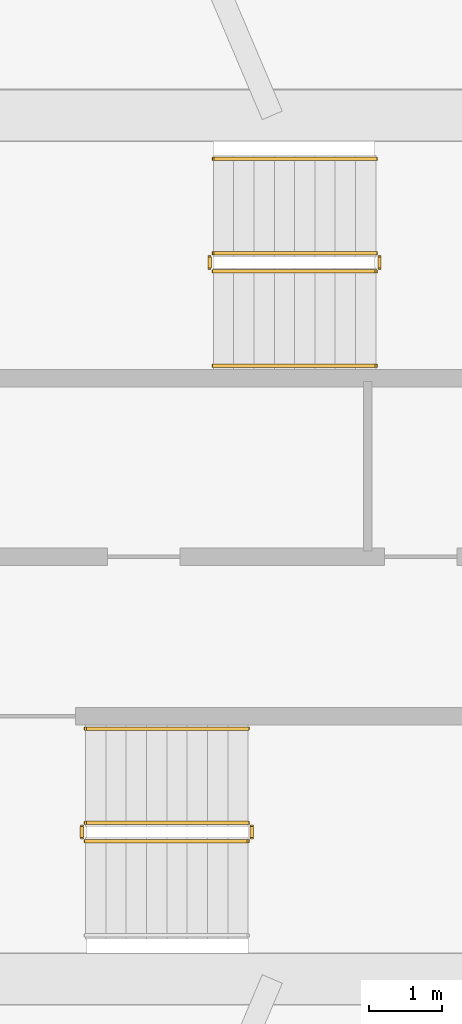
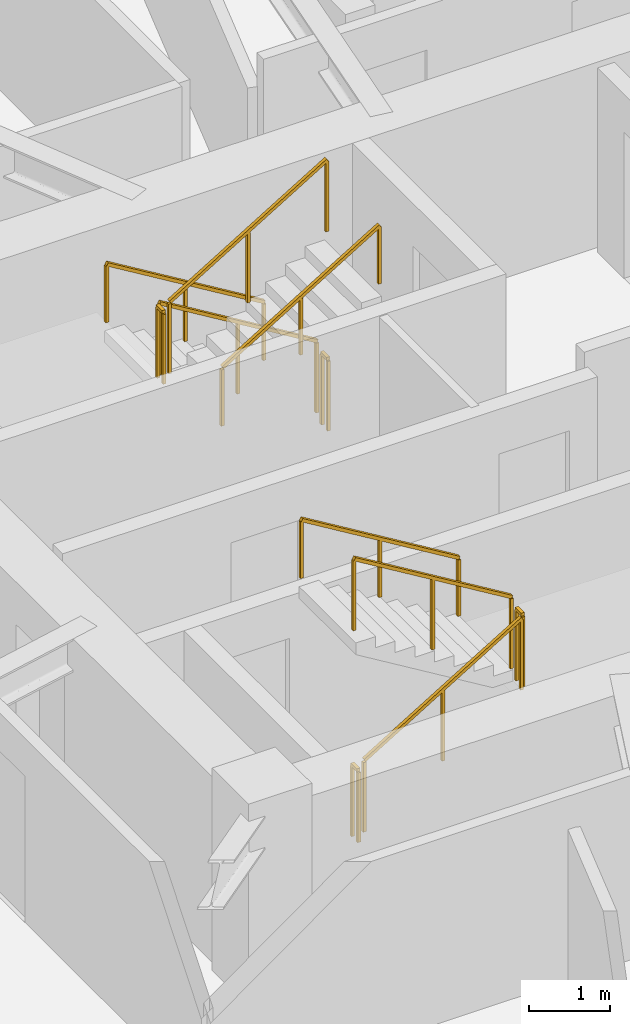
# One storey, part 22 of 24: 11 railings.
"""IFC4 building model written with IfcOpenShell, lengths in metres."""

from ifc_helpers import new_model, si_unit, direction, frame, origin, origin_2d, place, context, subcontext, project, spatial, rectangle, extrude, material, type_object, element, save


model = new_model("IFC4")

# Units and contexts
model_context = context("Model", 3, precision=1e-05, world=origin(), true_north=direction((0.0, 1.0)))
body_context = subcontext(model_context, "Body", "Model", "MODEL_VIEW")
ifc_project = project(units=[si_unit("LENGTHUNIT", "METRE"), si_unit("AREAUNIT", "SQUARE_METRE"), si_unit("VOLUMEUNIT", "CUBIC_METRE"), si_unit("PLANEANGLEUNIT", "RADIAN"), si_unit("MASSUNIT", "GRAM", prefix="KILO")], contexts=[model_context])

# Site, building, storey
site_placement = place(None, origin())
site = spatial("IfcSite", under=ifc_project, at=site_placement, CompositionType="ELEMENT")
building_placement = place(site_placement, origin())
building = spatial("IfcBuilding", under=site, at=building_placement, Name="Norrkilde Senior Care Towers", CompositionType="ELEMENT")
storey_placement = place(building_placement, frame((0.0, 0.0, 114.550048828125)))
storey = spatial("IfcBuildingStorey", under=building, at=storey_placement, Name="L35", CompositionType="ELEMENT", Elevation=114.550048828125)

# Railings
ifc_material_1 = material(Name="Stainless Steel", Category="steel")
railing_type_1 = type_object("IfcRailingType", Name="Stair and Terrace Guardrail 1100", PredefinedType="GUARDRAIL", material=ifc_material_1)
railing_1_placement = place(storey_placement, frame((26.89990234375, 4.050048828125, 0.16943359375)))
element("IfcRailing", 1, at=railing_1_placement, inside=storey, type_object=railing_type_1, Name="L35 ST-E1 stair guard 1", PredefinedType="GUARDRAIL", context=body_context, shape_type="SweptSolid", body=[
    extrude(rectangle(XDim=0.048095703125, YDim=0.048095703125, at=origin_2d()), frame((0.0, 0.0, 1.076171875), z_axis=(-0.855553338991, 0.0, 0.51771467445), x_axis=(0.0, -1.0, 0.0)), (0.0, 0.0, 1.0), 2.6181640625),
    extrude(rectangle(XDim=0.0419921875, YDim=0.0419921875, at=origin_2d()), origin(), (0.0, 0.0, 1.0), 1.050048828125),
    extrude(rectangle(XDim=0.0419921875, YDim=0.0419921875, at=origin_2d()), frame((-1.1201171875, 0.0, 0.677734375)), (0.0, 0.0, 1.0), 1.050048828125),
    extrude(rectangle(XDim=0.0419921875, YDim=0.0419921875, at=origin_2d()), frame((-2.239990234375, 0.0, 1.35546875)), (0.0, 0.0, 1.0), 1.050048828125),
])
railing_2_placement = place(storey_placement, frame((24.610107421875, 4.0, 1.52490234375)))
element("IfcRailing", 2, at=railing_2_placement, inside=storey, type_object=railing_type_1, Name="L35 ST-E1 stair guard 2", PredefinedType="GUARDRAIL", context=body_context, shape_type="SweptSolid", body=[
    extrude(rectangle(XDim=0.048095703125, YDim=0.048095703125, at=origin_2d()), frame((0.0, 0.0, 1.076171875), z_axis=(0.0, -1.0, 0.0), x_axis=(1.0, 0.0, 0.0)), (0.0, 0.0, 1.0), 0.14990234375),
    extrude(rectangle(XDim=0.0419921875, YDim=0.0419921875, at=origin_2d()), origin(), (0.0, 0.0, 1.0), 1.050048828125),
    extrude(rectangle(XDim=0.0419921875, YDim=0.0419921875, at=origin_2d()), frame((0.0, -0.14990234375, 0.0)), (0.0, 0.0, 1.0), 1.050048828125),
])
railing_3_placement = place(storey_placement, frame((24.659912109375, 3.800048828125, 1.6943359375)))
element("IfcRailing", 3, at=railing_3_placement, inside=storey, type_object=railing_type_1, Name="L35 ST-E1 stair guard 3", PredefinedType="GUARDRAIL", context=body_context, shape_type="SweptSolid", body=[
    extrude(rectangle(XDim=0.048095703125, YDim=0.048095703125, at=origin_2d()), frame((0.0, 0.0, 1.076171875), z_axis=(0.855512035549, 0.0, 0.517782924622), x_axis=(0.0, 1.0, 0.0)), (0.0, 0.0, 1.0), 2.618408203125),
    extrude(rectangle(XDim=0.0419921875, YDim=0.0419921875, at=origin_2d()), origin(), (0.0, 0.0, 1.0), 1.050048828125),
    extrude(rectangle(XDim=0.0419921875, YDim=0.0419921875, at=origin_2d()), frame((1.1201171875, 0.0, 0.677734375)), (0.0, 0.0, 1.0), 1.050048828125),
    extrude(rectangle(XDim=0.0419921875, YDim=0.0419921875, at=origin_2d()), frame((2.239990234375, 0.0, 1.355712890625)), (0.0, 0.0, 1.0), 1.050048828125),
])
railing_4_placement = place(storey_placement, frame((26.949951171875, 4.0, 0.0)))
element("IfcRailing", 4, at=railing_4_placement, inside=storey, type_object=railing_type_1, Name="L35 ST-E1 stair guard 4", PredefinedType="GUARDRAIL", context=body_context, shape_type="SweptSolid", body=[
    extrude(rectangle(XDim=0.048095703125, YDim=0.048095703125, at=origin_2d()), frame((0.0, 0.0, 1.076171875), z_axis=(0.0, -1.0, 0.0), x_axis=(1.0, 0.0, 0.0)), (0.0, 0.0, 1.0), 0.14990234375),
    extrude(rectangle(XDim=0.0419921875, YDim=0.0419921875, at=origin_2d()), origin(), (0.0, 0.0, 1.0), 1.050048828125),
    extrude(rectangle(XDim=0.0419921875, YDim=0.0419921875, at=origin_2d()), frame((0.0, -0.14990234375, 0.0)), (0.0, 0.0, 1.0), 1.050048828125),
])
railing_5_placement = place(storey_placement, frame((22.89990234375, -4.050048828125, 0.16943359375)))
element("IfcRailing", 5, at=railing_5_placement, inside=storey, type_object=railing_type_1, Name="L35 ST-E2 stair guard 1", PredefinedType="GUARDRAIL", context=body_context, shape_type="SweptSolid", body=[
    extrude(rectangle(XDim=0.048095703125, YDim=0.048095703125, at=origin_2d()), frame((0.0, 0.0, 1.076171875), z_axis=(0.855553338991, 0.0, 0.51771467445), x_axis=(0.0, 1.0, 0.0)), (0.0, 0.0, 1.0), 2.6181640625),
    extrude(rectangle(XDim=0.0419921875, YDim=0.0419921875, at=origin_2d()), origin(), (0.0, 0.0, 1.0), 1.050048828125),
    extrude(rectangle(XDim=0.0419921875, YDim=0.0419921875, at=origin_2d()), frame((1.1201171875, 0.0, 0.677734375)), (0.0, 0.0, 1.0), 1.050048828125),
    extrude(rectangle(XDim=0.0419921875, YDim=0.0419921875, at=origin_2d()), frame((2.239990234375, 0.0, 1.35546875)), (0.0, 0.0, 1.0), 1.050048828125),
])
railing_6_placement = place(storey_placement, frame((25.18994140625, -4.0, 1.52490234375)))
element("IfcRailing", 6, at=railing_6_placement, inside=storey, type_object=railing_type_1, Name="L35 ST-E2 stair guard 2", PredefinedType="GUARDRAIL", context=body_context, shape_type="SweptSolid", body=[
    extrude(rectangle(XDim=0.048095703125, YDim=0.048095703125, at=origin_2d()), frame((0.0, 0.0, 1.076171875), z_axis=(0.0, 1.0, 0.0), x_axis=(-1.0, 0.0, 0.0)), (0.0, 0.0, 1.0), 0.14990234375),
    extrude(rectangle(XDim=0.0419921875, YDim=0.0419921875, at=origin_2d()), origin(), (0.0, 0.0, 1.0), 1.050048828125),
    extrude(rectangle(XDim=0.0419921875, YDim=0.0419921875, at=origin_2d()), frame((0.0, 0.14990234375, 0.0)), (0.0, 0.0, 1.0), 1.050048828125),
])
railing_7_placement = place(storey_placement, frame((25.139892578125, -3.800048828125, 1.6943359375)))
element("IfcRailing", 7, at=railing_7_placement, inside=storey, type_object=railing_type_1, Name="L35 ST-E2 stair guard 3", PredefinedType="GUARDRAIL", context=body_context, shape_type="SweptSolid", body=[
    extrude(rectangle(XDim=0.048095703125, YDim=0.048095703125, at=origin_2d()), frame((0.0, 0.0, 1.076171875), z_axis=(-0.855512035549, 0.0, 0.517782924622), x_axis=(0.0, -1.0, 0.0)), (0.0, 0.0, 1.0), 2.618408203125),
    extrude(rectangle(XDim=0.0419921875, YDim=0.0419921875, at=origin_2d()), origin(), (0.0, 0.0, 1.0), 1.050048828125),
    extrude(rectangle(XDim=0.0419921875, YDim=0.0419921875, at=origin_2d()), frame((-1.1201171875, 0.0, 0.677734375)), (0.0, 0.0, 1.0), 1.050048828125),
    extrude(rectangle(XDim=0.0419921875, YDim=0.0419921875, at=origin_2d()), frame((-2.239990234375, 0.0, 1.355712890625)), (0.0, 0.0, 1.0), 1.050048828125),
])
railing_8_placement = place(storey_placement, frame((22.85009765625, -4.0, 0.0)))
element("IfcRailing", 8, at=railing_8_placement, inside=storey, type_object=railing_type_1, Name="L35 ST-E2 stair guard 4", PredefinedType="GUARDRAIL", context=body_context, shape_type="SweptSolid", body=[
    extrude(rectangle(XDim=0.048095703125, YDim=0.048095703125, at=origin_2d()), frame((0.0, 0.0, 1.076171875), z_axis=(0.0, 1.0, 0.0), x_axis=(-1.0, 0.0, 0.0)), (0.0, 0.0, 1.0), 0.14990234375),
    extrude(rectangle(XDim=0.0419921875, YDim=0.0419921875, at=origin_2d()), origin(), (0.0, 0.0, 1.0), 1.050048828125),
    extrude(rectangle(XDim=0.0419921875, YDim=0.0419921875, at=origin_2d()), frame((0.0, 0.14990234375, 0.0)), (0.0, 0.0, 1.0), 1.050048828125),
])
ifc_material_2 = material(Name="Nordic Ash Timber", Category="wood")
railing_type_2 = type_object("IfcRailingType", Name="Wall and Stair Handrail 900", PredefinedType="HANDRAIL", material=ifc_material_2)
railing_9_placement = place(storey_placement, frame((26.89990234375, 5.35009765625, 0.16943359375)))
element("IfcRailing", 9, at=railing_9_placement, inside=storey, type_object=railing_type_2, Name="L35 ST-E1 stair handrail 1", PredefinedType="HANDRAIL", context=body_context, shape_type="SweptSolid", body=[
    extrude(rectangle(XDim=0.048095703125, YDim=0.048095703125, at=origin_2d()), frame((0.0, 0.0, 0.8759765625), z_axis=(-0.855553338991, 0.0, 0.51771467445), x_axis=(0.0, -1.0, 0.0)), (0.0, 0.0, 1.0), 2.6181640625),
    extrude(rectangle(XDim=0.0419921875, YDim=0.0419921875, at=origin_2d()), origin(), (0.0, 0.0, 1.0), 0.849853515625),
    extrude(rectangle(XDim=0.0419921875, YDim=0.0419921875, at=origin_2d()), frame((-1.1201171875, 0.0, 0.677734375)), (0.0, 0.0, 1.0), 0.849853515625),
    extrude(rectangle(XDim=0.0419921875, YDim=0.0419921875, at=origin_2d()), frame((-2.239990234375, 0.0, 1.35546875)), (0.0, 0.0, 1.0), 0.849853515625),
])
railing_10_placement = place(storey_placement, frame((24.659912109375, 2.5, 1.6943359375)))
element("IfcRailing", 10, at=railing_10_placement, inside=storey, type_object=railing_type_2, Name="L35 ST-E1 stair handrail 2", PredefinedType="HANDRAIL", context=body_context, shape_type="SweptSolid", body=[
    extrude(rectangle(XDim=0.048095703125, YDim=0.048095703125, at=origin_2d()), frame((0.0, 0.0, 0.8759765625), z_axis=(0.855512035549, 0.0, 0.517782924622), x_axis=(0.0, 1.0, 0.0)), (0.0, 0.0, 1.0), 2.618408203125),
    extrude(rectangle(XDim=0.0419921875, YDim=0.0419921875, at=origin_2d()), origin(), (0.0, 0.0, 1.0), 0.849853515625),
    extrude(rectangle(XDim=0.0419921875, YDim=0.0419921875, at=origin_2d()), frame((1.1201171875, 0.0, 0.677734375)), (0.0, 0.0, 1.0), 0.849853515625),
    extrude(rectangle(XDim=0.0419921875, YDim=0.0419921875, at=origin_2d()), frame((2.239990234375, 0.0, 1.355712890625)), (0.0, 0.0, 1.0), 0.849853515625),
])
railing_11_placement = place(storey_placement, frame((25.139892578125, -2.5, 1.6943359375)))
element("IfcRailing", 11, at=railing_11_placement, inside=storey, type_object=railing_type_2, Name="L35 ST-E2 stair handrail 2", PredefinedType="HANDRAIL", context=body_context, shape_type="SweptSolid", body=[
    extrude(rectangle(XDim=0.048095703125, YDim=0.048095703125, at=origin_2d()), frame((0.0, 0.0, 0.8759765625), z_axis=(-0.855512035549, 0.0, 0.517782924622), x_axis=(0.0, -1.0, 0.0)), (0.0, 0.0, 1.0), 2.618408203125),
    extrude(rectangle(XDim=0.0419921875, YDim=0.0419921875, at=origin_2d()), origin(), (0.0, 0.0, 1.0), 0.849853515625),
    extrude(rectangle(XDim=0.0419921875, YDim=0.0419921875, at=origin_2d()), frame((-1.1201171875, 0.0, 0.677734375)), (0.0, 0.0, 1.0), 0.849853515625),
    extrude(rectangle(XDim=0.0419921875, YDim=0.0419921875, at=origin_2d()), frame((-2.239990234375, 0.0, 1.355712890625)), (0.0, 0.0, 1.0), 0.849853515625),
])

save(model, "model.ifc")
